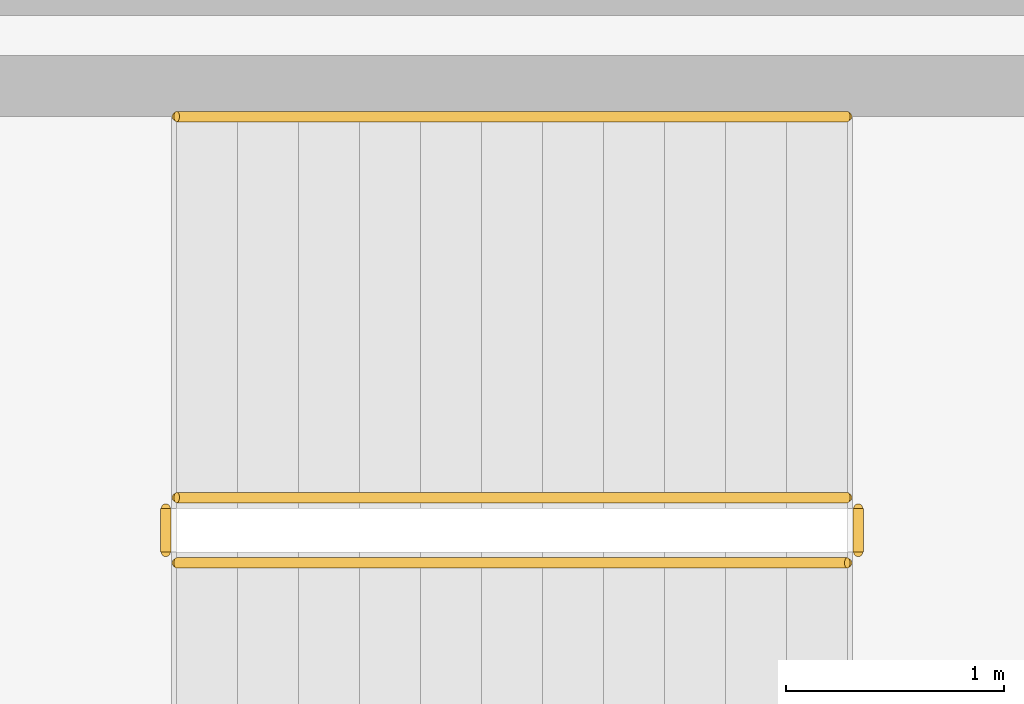
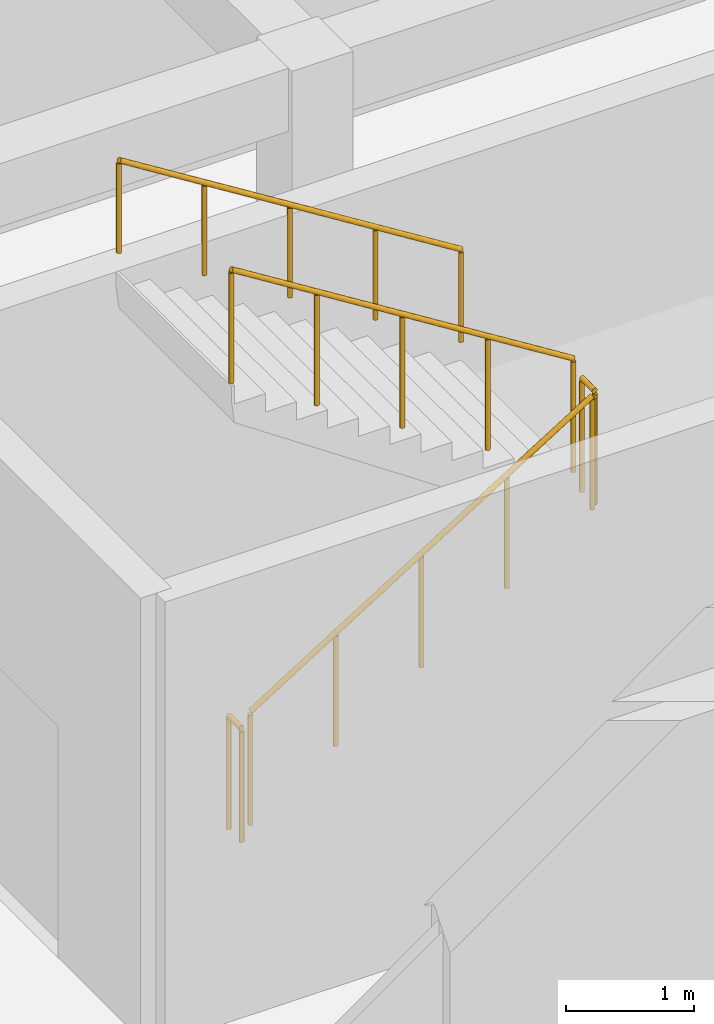
# One storey, part 38 of 42: 5 railings.
"""IFC4 building model written with IfcOpenShell, lengths in metres."""

from ifc_helpers import new_model, si_unit, direction, frame, origin, origin_2d, place, context, subcontext, project, spatial, circle, extrude, material, type_object, element, save


model = new_model("IFC4")

# Units and contexts
model_context = context("Model", 3, precision=1e-05, world=origin(), true_north=direction((0.0, 1.0)))
body_context = subcontext(model_context, "Body", "Model", "MODEL_VIEW")
ifc_project = project(units=[si_unit("LENGTHUNIT", "METRE"), si_unit("AREAUNIT", "SQUARE_METRE"), si_unit("VOLUMEUNIT", "CUBIC_METRE"), si_unit("PLANEANGLEUNIT", "RADIAN"), si_unit("MASSUNIT", "GRAM", prefix="KILO")], contexts=[model_context])

# Site, building, storey
site_placement = place(None, origin())
site = spatial("IfcSite", under=ifc_project, at=site_placement, CompositionType="ELEMENT")
building_placement = place(site_placement, origin())
building = spatial("IfcBuilding", under=site, at=building_placement, Name="Varncliffe General Hospital", CompositionType="ELEMENT")
storey_placement = place(building_placement, frame((0.0, 0.0, 20.39990234375)))
storey = spatial("IfcBuildingStorey", under=building, at=storey_placement, Name="L04", CompositionType="ELEMENT", Elevation=20.39990234375)

# Railings
ifc_material = material(Name="Powder-coated hospital steel guardrail and handrail", Category="steel")
railing_type_1 = type_object("IfcRailingType", Name="Stair and Ramp Handrail HR46", PredefinedType="HANDRAIL", material=ifc_material)
railing_1_placement = place(storey_placement, frame((168.280029296875, 22.050048828125, 2.4541015625)))
element("IfcRailing", 1, at=railing_1_placement, inside=storey, type_object=railing_type_1, Name="L04 ST11 stair handrail 2", PredefinedType="HANDRAIL", context=body_context, shape_type="SweptSolid", body=[
    extrude(circle(Radius=0.02392578125, at=origin_2d()), frame((0.0, 0.0, 0.8759765625), z_axis=(-0.847998304005, 0.0, 0.529998940003), x_axis=(0.0, -1.0, 0.0)), (0.0, 0.0, 1.0), 3.632080078125),
    extrude(circle(Radius=0.02099609375, at=origin_2d()), origin(), (0.0, 0.0, 1.0), 0.851806640625),
    extrude(circle(Radius=0.02099609375, at=origin_2d()), frame((-0.77001953125, 0.0, 0.481201171875)), (0.0, 0.0, 1.0), 0.851806640625),
    extrude(circle(Radius=0.02099609375, at=origin_2d()), frame((-1.5400390625, 0.0, 0.96240234375)), (0.0, 0.0, 1.0), 0.851806640625),
    extrude(circle(Radius=0.02099609375, at=origin_2d()), frame((-2.31005859375, 0.0, 1.44384765625)), (0.0, 0.0, 1.0), 0.851806640625),
    extrude(circle(Radius=0.02099609375, at=origin_2d()), frame((-3.080078125, 0.0, 1.925048828125)), (0.0, 0.0, 1.0), 0.851806640625),
])
railing_type_2 = type_object("IfcRailingType", Name="Stairwell Guardrail SG49", PredefinedType="GUARDRAIL", material=ifc_material)
railing_2_placement = place(storey_placement, frame((165.199951171875, 20.0, 0.175048828125)))
element("IfcRailing", 2, at=railing_2_placement, inside=storey, type_object=railing_type_2, Name="L04 ST11 stair guard 1", PredefinedType="GUARDRAIL", context=body_context, shape_type="SweptSolid", body=[
    extrude(circle(Radius=0.02392578125, at=origin_2d()), frame((0.0, 0.0, 1.076171875), z_axis=(0.847998304005, 0.0, 0.529998940003), x_axis=(0.0, 1.0, 0.0)), (0.0, 0.0, 1.0), 3.632080078125),
    extrude(circle(Radius=0.02099609375, at=origin_2d()), origin(), (0.0, 0.0, 1.0), 1.052001953125),
    extrude(circle(Radius=0.02099609375, at=origin_2d()), frame((0.77001953125, 0.0, 0.481201171875)), (0.0, 0.0, 1.0), 1.052001953125),
    extrude(circle(Radius=0.02099609375, at=origin_2d()), frame((1.5400390625, 0.0, 0.96240234375)), (0.0, 0.0, 1.0), 1.052001953125),
    extrude(circle(Radius=0.02099609375, at=origin_2d()), frame((2.31005859375, 0.0, 1.44384765625)), (0.0, 0.0, 1.0), 1.052001953125),
    extrude(circle(Radius=0.02099609375, at=origin_2d()), frame((3.080078125, 0.0, 1.925048828125)), (0.0, 0.0, 1.0), 1.052001953125),
])
railing_3_placement = place(storey_placement, frame((168.330078125, 20.050048828125, 2.10009765625)))
element("IfcRailing", 3, at=railing_3_placement, inside=storey, type_object=railing_type_2, Name="L04 ST11 stair guard 2", PredefinedType="GUARDRAIL", context=body_context, shape_type="SweptSolid", body=[
    extrude(circle(Radius=0.02392578125, at=origin_2d()), frame((0.0, 0.0, 1.076171875), z_axis=(0.0, 1.0, 0.0), x_axis=(-1.0, 0.0, 0.0)), (0.0, 0.0, 1.0), 0.199951171875),
    extrude(circle(Radius=0.02099609375, at=origin_2d()), origin(), (0.0, 0.0, 1.0), 1.052001953125),
    extrude(circle(Radius=0.02099609375, at=origin_2d()), frame((0.0, 0.199951171875, 0.0)), (0.0, 0.0, 1.0), 1.052001953125),
])
railing_4_placement = place(storey_placement, frame((168.280029296875, 20.300048828125, 2.275146484375)))
element("IfcRailing", 4, at=railing_4_placement, inside=storey, type_object=railing_type_2, Name="L04 ST11 stair guard 3", PredefinedType="GUARDRAIL", context=body_context, shape_type="SweptSolid", body=[
    extrude(circle(Radius=0.02392578125, at=origin_2d()), frame((0.0, 0.0, 1.076171875), z_axis=(-0.847998304005, 0.0, 0.529998940003), x_axis=(0.0, -1.0, 0.0)), (0.0, 0.0, 1.0), 3.632080078125),
    extrude(circle(Radius=0.02099609375, at=origin_2d()), origin(), (0.0, 0.0, 1.0), 1.052001953125),
    extrude(circle(Radius=0.02099609375, at=origin_2d()), frame((-0.77001953125, 0.0, 0.481201171875)), (0.0, 0.0, 1.0), 1.052001953125),
    extrude(circle(Radius=0.02099609375, at=origin_2d()), frame((-1.5400390625, 0.0, 0.96240234375)), (0.0, 0.0, 1.0), 1.052001953125),
    extrude(circle(Radius=0.02099609375, at=origin_2d()), frame((-2.31005859375, 0.0, 1.44384765625)), (0.0, 0.0, 1.0), 1.052001953125),
    extrude(circle(Radius=0.02099609375, at=origin_2d()), frame((-3.080078125, 0.0, 1.925048828125)), (0.0, 0.0, 1.0), 1.052001953125),
])
railing_5_placement = place(storey_placement, frame((165.14990234375, 20.050048828125, 0.0)))
element("IfcRailing", 5, at=railing_5_placement, inside=storey, type_object=railing_type_2, Name="L04 ST11 stair guard 4", PredefinedType="GUARDRAIL", context=body_context, shape_type="SweptSolid", body=[
    extrude(circle(Radius=0.02392578125, at=origin_2d()), frame((0.0, 0.0, 1.076171875), z_axis=(0.0, 1.0, 0.0), x_axis=(-1.0, 0.0, 0.0)), (0.0, 0.0, 1.0), 0.199951171875),
    extrude(circle(Radius=0.02099609375, at=origin_2d()), origin(), (0.0, 0.0, 1.0), 1.052001953125),
    extrude(circle(Radius=0.02099609375, at=origin_2d()), frame((0.0, 0.199951171875, 0.0)), (0.0, 0.0, 1.0), 1.052001953125),
])

save(model, "model.ifc")
